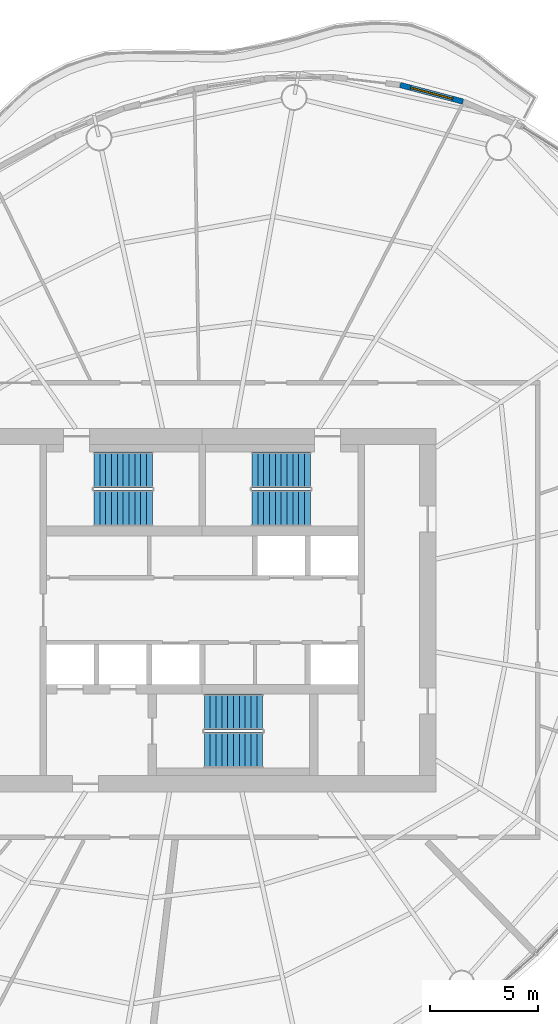
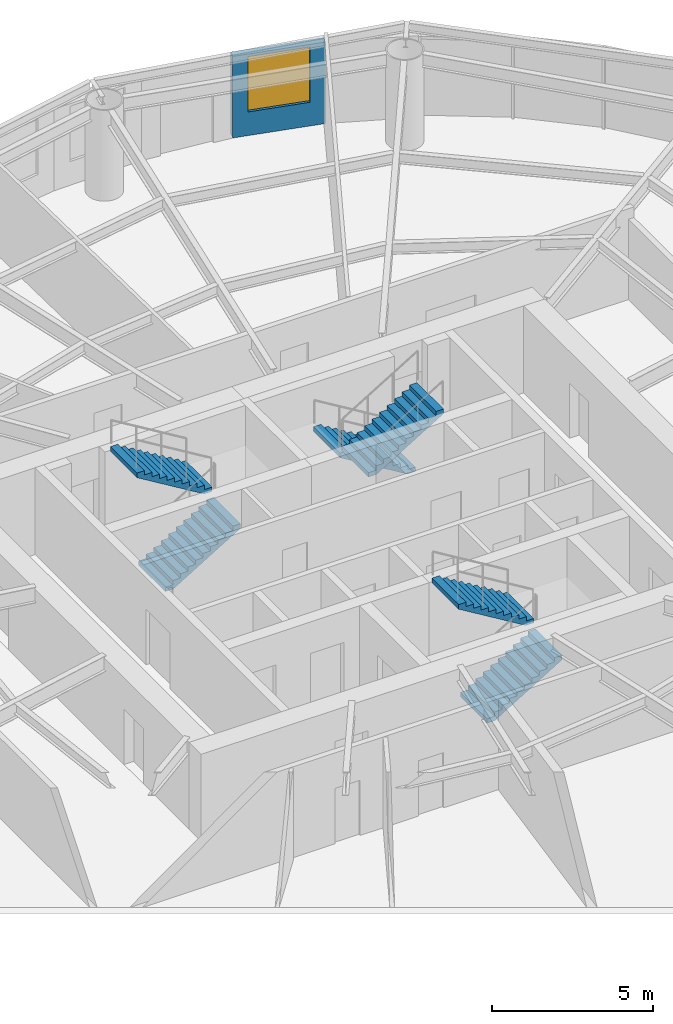
# One storey, part 11 of 14: 6 stair flights, 1 wall, 1 window, 1 opening, 3 elements without a shape of their own.
"""IFC4 building model written with IfcOpenShell, lengths in metres."""

from ifc_helpers import new_model, si_unit, direction, frame, frame_2d, origin, place, context, subcontext, project, spatial, polyline, rectangle, outline, extrude, material, layer, layer_set, type_object, element, fill, aggregate, save


model = new_model("IFC4")

# Units and contexts
model_context = context("Model", 3, precision=1e-05, world=origin(), true_north=direction((0.0, 1.0)))
body_context = subcontext(model_context, "Body", "Model", "MODEL_VIEW")
ifc_project = project(units=[si_unit("LENGTHUNIT", "METRE"), si_unit("AREAUNIT", "SQUARE_METRE"), si_unit("VOLUMEUNIT", "CUBIC_METRE"), si_unit("PLANEANGLEUNIT", "RADIAN"), si_unit("MASSUNIT", "GRAM", prefix="KILO")], contexts=[model_context])

# Site, building, storey
site_placement = place(None, origin())
site = spatial("IfcSite", under=ifc_project, at=site_placement, CompositionType="ELEMENT")
building_placement = place(site_placement, origin())
building = spatial("IfcBuilding", under=site, at=building_placement, Name="Vermilion Reach Broadcast Tower", CompositionType="ELEMENT")
storey_placement = place(building_placement, frame((0.0, 0.0, 210.10009765625)))
storey = spatial("IfcBuildingStorey", under=building, at=storey_placement, Name="L51", CompositionType="ELEMENT", Elevation=210.10009765625)

# Wall, opening, window
ifc_material_1 = material(Name="Terracotta rainscreen cladding", Category="masonry")
ifc_layer = layer(ifc_material_1, 0.25)
ifc_layer_set = layer_set([ifc_layer], Name="Terracotta rainscreen wall 250")
wall_type = type_object("IfcWallType", Name="Terracotta rainscreen wall 250", PredefinedType="SOLIDWALL", material=ifc_layer_set)
wall_placement = place(storey_placement, frame((6.052978515625, 23.498291015625, 0.0), z_axis=(0.0, 0.0, 1.0), x_axis=(-0.966837064295, 0.255393991914, 0.0)))
wall = element("IfcWall", 1, at=wall_placement, inside=storey, type_object=wall_type, Name="External wall L51 03", PredefinedType="SOLIDWALL", context=body_context, shape_type="SweptSolid", body=[
    extrude(rectangle(XDim=3.001708984375, YDim=0.25, at=frame_2d((1.5009765625, 0.0))), origin(), (0.0, 0.0, 1.0), 3.099853515625),
])
opening_placement = place(wall_placement, frame((0.500732421875, 0.0, 0.89990234375)))
opening = element("IfcOpeningElement", 2, at=opening_placement, cuts=wall, Name="Opening W03", PredefinedType="OPENING", context=body_context, shape_type="SweptSolid", body=[
    extrude(rectangle(XDim=2.0, YDim=2.10009765625, at=frame_2d((1.0, 1.050048828125))), frame((0.0, 0.135009765625, 0.0), z_axis=(0.0, -1.0, 0.0), x_axis=(1.0, 0.0, 0.0)), (0.0, 0.0, 1.0), 0.27001953125),
])
ifc_material_2 = material(Name="Low-e laminated clear glass in aluminium frame", Category="aluminium")
window_type = type_object("IfcWindowType", Name="Punched window 2000 x 2100 sill 900", PartitioningType="SINGLE_PANEL", PredefinedType="WINDOW", material=ifc_material_2)
window_placement = place(opening_placement, origin())
window = element("IfcWindow", 3, at=window_placement, inside=storey, type_object=window_type, Name="Window L51 03", OverallHeight=2.10009765625, OverallWidth=2.0, PartitioningType="SINGLE_PANEL", PredefinedType="WINDOW", context=body_context, shape_type="SweptSolid", body=[
    extrude(rectangle(XDim=2.0, YDim=2.10009765625, at=frame_2d((1.0, 1.050048828125))), frame((0.0, 0.030029296875, 0.0), z_axis=(0.0, -1.0, 0.0), x_axis=(1.0, 0.0, 0.0)), (0.0, 0.0, 1.0), 0.06005859375),
])
fill(opening, window)

# Stair, stair flights
ifc_material_3 = material(Name="Concrete C40", Category="concrete")
stair_type = type_object("IfcStairType", Name="Exit stair RC 22 risers 164 mm", PredefinedType="HALF_TURN_STAIR", material=ifc_material_3)
placement = place(storey_placement, origin())
stair_1 = element("IfcStair", 4, at=placement, inside=storey, type_object=stair_type, Name="L51 Exit stair ST1", PredefinedType="HALF_TURN_STAIR")
ifc_material_4 = material(Name="Concrete C40", Category="concrete")
stair_flight_type = type_object("IfcStairFlightType", Name="Exit stair flight RC 11 risers", PredefinedType="STRAIGHT", material=ifc_material_4)
stair_flight_1_placement = place(storey_placement, frame((-11.0, 4.7099609375, 0.0), z_axis=(0.0, 0.0, 1.0), x_axis=(1.0, 0.0, 0.0)))
stair_flight_1 = element("IfcStairFlight", 5, at=stair_flight_1_placement, type_object=stair_flight_type, Name="ST1 flight 1", NumberOfRisers=11, NumberOfTreads=10, PredefinedType="STRAIGHT", RiserHeight=0.163636364, TreadLength=0.27, context=body_context, shape_type="SweptSolid", body=[
    extrude(outline(polyline([(0.0, 0.0), (0.0, 0.16357421875), (0.27001953125, 0.16357421875), (0.27001953125, 0.327392578125), (0.5400390625, 0.327392578125), (0.5400390625, 0.490966796875), (0.81005859375, 0.490966796875), (0.81005859375, 0.654541015625), (1.080078125, 0.654541015625), (1.080078125, 0.818115234375), (1.35009765625, 0.818115234375), (1.35009765625, 0.98193359375), (1.6201171875, 0.98193359375), (1.6201171875, 1.1455078125), (1.889892578125, 1.1455078125), (1.889892578125, 1.30908203125), (2.159912109375, 1.30908203125), (2.159912109375, 1.47265625), (2.429931640625, 1.47265625), (2.429931640625, 1.636474609375), (2.699951171875, 1.636474609375), (2.699951171875, 1.800048828125), (2.699951171875, 1.461181640625), (0.289306640625, 0.0), (0.0, 0.0)])), frame((0.0, 0.830078125, 0.0), z_axis=(0.0, -1.0, 0.0), x_axis=(1.0, 0.0, 0.0)), (0.0, 0.0, 1.0), 1.659912109375),
])
stair_flight_2_placement = place(storey_placement, frame((-8.300048828125, 6.469970703125, 1.7998046875), z_axis=(0.0, 0.0, 1.0), x_axis=(-1.0, 0.0, 0.0)))
stair_flight_2 = element("IfcStairFlight", 6, at=stair_flight_2_placement, type_object=stair_flight_type, Name="ST1 flight 2", NumberOfRisers=11, NumberOfTreads=10, PredefinedType="STRAIGHT", RiserHeight=0.163636364, TreadLength=0.27, context=body_context, shape_type="SweptSolid", body=[
    extrude(outline(polyline([(0.0, 0.0), (0.0, 0.16357421875), (0.27001953125, 0.16357421875), (0.27001953125, 0.327392578125), (0.5400390625, 0.327392578125), (0.5400390625, 0.490966796875), (0.81005859375, 0.490966796875), (0.81005859375, 0.654541015625), (1.080078125, 0.654541015625), (1.080078125, 0.818115234375), (1.35009765625, 0.818115234375), (1.35009765625, 0.98193359375), (1.6201171875, 0.98193359375), (1.6201171875, 1.1455078125), (1.889892578125, 1.1455078125), (1.889892578125, 1.30908203125), (2.159912109375, 1.30908203125), (2.159912109375, 1.47265625), (2.429931640625, 1.47265625), (2.429931640625, 1.636474609375), (2.699951171875, 1.636474609375), (2.699951171875, 1.800048828125), (2.699951171875, 1.461181640625), (0.289306640625, 0.0), (0.0, 0.0)])), frame((0.0, 0.830078125, 0.0), z_axis=(0.0, -1.0, 0.0), x_axis=(1.0, 0.0, 0.0)), (0.0, 0.0, 1.0), 1.659912109375),
])
aggregate(stair_1, [stair_flight_1, stair_flight_2])

stair_2 = element("IfcStair", 7, at=placement, inside=storey, type_object=stair_type, Name="L51 Exit stair ST2", PredefinedType="HALF_TURN_STAIR")
stair_flight_3_placement = place(storey_placement, frame((-1.0, 6.469970703125, 0.0), z_axis=(0.0, 0.0, 1.0), x_axis=(-1.0, 0.0, 0.0)))
stair_flight_3 = element("IfcStairFlight", 8, at=stair_flight_3_placement, type_object=stair_flight_type, Name="ST2 flight 1", NumberOfRisers=11, NumberOfTreads=10, PredefinedType="STRAIGHT", RiserHeight=0.163636364, TreadLength=0.27, context=body_context, shape_type="SweptSolid", body=[
    extrude(outline(polyline([(0.0, 0.0), (0.0, 0.16357421875), (0.27001953125, 0.16357421875), (0.27001953125, 0.327392578125), (0.5400390625, 0.327392578125), (0.5400390625, 0.490966796875), (0.81005859375, 0.490966796875), (0.81005859375, 0.654541015625), (1.080078125, 0.654541015625), (1.080078125, 0.818115234375), (1.35009765625, 0.818115234375), (1.35009765625, 0.98193359375), (1.6201171875, 0.98193359375), (1.6201171875, 1.1455078125), (1.889892578125, 1.1455078125), (1.889892578125, 1.30908203125), (2.159912109375, 1.30908203125), (2.159912109375, 1.47265625), (2.429931640625, 1.47265625), (2.429931640625, 1.636474609375), (2.699951171875, 1.636474609375), (2.699951171875, 1.800048828125), (2.699951171875, 1.461181640625), (0.289306640625, 0.0), (0.0, 0.0)])), frame((0.0, 0.830078125, 0.0), z_axis=(0.0, -1.0, 0.0), x_axis=(1.0, 0.0, 0.0)), (0.0, 0.0, 1.0), 1.659912109375),
])
stair_flight_4_placement = place(storey_placement, frame((-3.699951171875, 4.7099609375, 1.7998046875), z_axis=(0.0, 0.0, 1.0), x_axis=(1.0, 0.0, 0.0)))
stair_flight_4 = element("IfcStairFlight", 9, at=stair_flight_4_placement, type_object=stair_flight_type, Name="ST2 flight 2", NumberOfRisers=11, NumberOfTreads=10, PredefinedType="STRAIGHT", RiserHeight=0.163636364, TreadLength=0.27, context=body_context, shape_type="SweptSolid", body=[
    extrude(outline(polyline([(0.0, 0.0), (0.0, 0.16357421875), (0.27001953125, 0.16357421875), (0.27001953125, 0.327392578125), (0.5400390625, 0.327392578125), (0.5400390625, 0.490966796875), (0.81005859375, 0.490966796875), (0.81005859375, 0.654541015625), (1.080078125, 0.654541015625), (1.080078125, 0.818115234375), (1.35009765625, 0.818115234375), (1.35009765625, 0.98193359375), (1.6201171875, 0.98193359375), (1.6201171875, 1.1455078125), (1.889892578125, 1.1455078125), (1.889892578125, 1.30908203125), (2.159912109375, 1.30908203125), (2.159912109375, 1.47265625), (2.429931640625, 1.47265625), (2.429931640625, 1.636474609375), (2.699951171875, 1.636474609375), (2.699951171875, 1.800048828125), (2.699951171875, 1.461181640625), (0.289306640625, 0.0), (0.0, 0.0)])), frame((0.0, 0.830078125, 0.0), z_axis=(0.0, -1.0, 0.0), x_axis=(1.0, 0.0, 0.0)), (0.0, 0.0, 1.0), 1.659912109375),
])
aggregate(stair_2, [stair_flight_3, stair_flight_4])

stair_3 = element("IfcStair", 10, at=placement, inside=storey, type_object=stair_type, Name="L51 Exit stair ST3", PredefinedType="HALF_TURN_STAIR")
stair_flight_5_placement = place(storey_placement, frame((-5.89990234375, -6.469970703125, 0.0), z_axis=(0.0, 0.0, 1.0), x_axis=(1.0, 0.0, 0.0)))
stair_flight_5 = element("IfcStairFlight", 11, at=stair_flight_5_placement, type_object=stair_flight_type, Name="ST3 flight 1", NumberOfRisers=11, NumberOfTreads=10, PredefinedType="STRAIGHT", RiserHeight=0.163636364, TreadLength=0.27, context=body_context, shape_type="SweptSolid", body=[
    extrude(outline(polyline([(0.0, 0.0), (0.0, 0.16357421875), (0.27001953125, 0.16357421875), (0.27001953125, 0.327392578125), (0.5400390625, 0.327392578125), (0.5400390625, 0.490966796875), (0.81005859375, 0.490966796875), (0.81005859375, 0.654541015625), (1.080078125, 0.654541015625), (1.080078125, 0.818115234375), (1.35009765625, 0.818115234375), (1.35009765625, 0.98193359375), (1.6201171875, 0.98193359375), (1.6201171875, 1.1455078125), (1.889892578125, 1.1455078125), (1.889892578125, 1.30908203125), (2.159912109375, 1.30908203125), (2.159912109375, 1.47265625), (2.429931640625, 1.47265625), (2.429931640625, 1.636474609375), (2.699951171875, 1.636474609375), (2.699951171875, 1.800048828125), (2.699951171875, 1.461181640625), (0.289306640625, 0.0), (0.0, 0.0)])), frame((0.0, 0.830078125, 0.0), z_axis=(0.0, -1.0, 0.0), x_axis=(1.0, 0.0, 0.0)), (0.0, 0.0, 1.0), 1.659912109375),
])
stair_flight_6_placement = place(storey_placement, frame((-3.199951171875, -4.7099609375, 1.7998046875), z_axis=(0.0, 0.0, 1.0), x_axis=(-1.0, 0.0, 0.0)))
stair_flight_6 = element("IfcStairFlight", 12, at=stair_flight_6_placement, type_object=stair_flight_type, Name="ST3 flight 2", NumberOfRisers=11, NumberOfTreads=10, PredefinedType="STRAIGHT", RiserHeight=0.163636364, TreadLength=0.27, context=body_context, shape_type="SweptSolid", body=[
    extrude(outline(polyline([(0.0, 0.0), (0.0, 0.16357421875), (0.27001953125, 0.16357421875), (0.27001953125, 0.327392578125), (0.5400390625, 0.327392578125), (0.5400390625, 0.490966796875), (0.81005859375, 0.490966796875), (0.81005859375, 0.654541015625), (1.080078125, 0.654541015625), (1.080078125, 0.818115234375), (1.35009765625, 0.818115234375), (1.35009765625, 0.98193359375), (1.6201171875, 0.98193359375), (1.6201171875, 1.1455078125), (1.889892578125, 1.1455078125), (1.889892578125, 1.30908203125), (2.159912109375, 1.30908203125), (2.159912109375, 1.47265625), (2.429931640625, 1.47265625), (2.429931640625, 1.636474609375), (2.699951171875, 1.636474609375), (2.699951171875, 1.800048828125), (2.699951171875, 1.461181640625), (0.289306640625, 0.0), (0.0, 0.0)])), frame((0.0, 0.830078125, 0.0), z_axis=(0.0, -1.0, 0.0), x_axis=(1.0, 0.0, 0.0)), (0.0, 0.0, 1.0), 1.659912109375),
])
aggregate(stair_3, [stair_flight_5, stair_flight_6])

save(model, "model.ifc")
